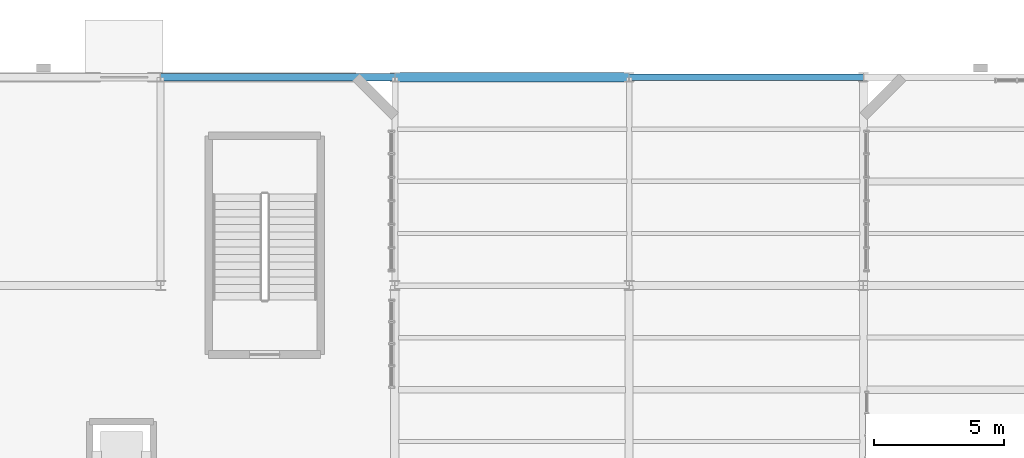
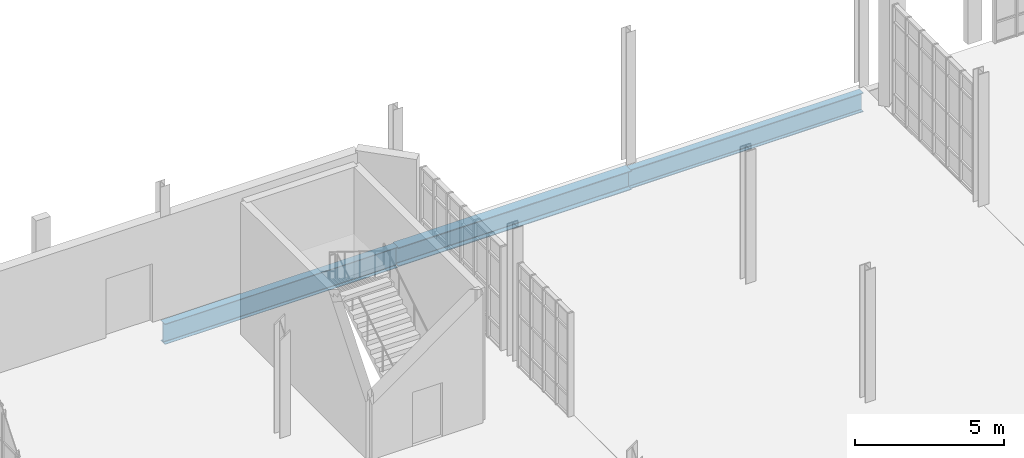
# One storey, part 98 of 189: 3 beams.
"""IFC4 building model written with IfcOpenShell, lengths in metres."""

from ifc_helpers import new_model, si_unit, direction, frame, origin, origin_2d, place, context, subcontext, project, spatial, i_section, extrude, material, material_profile, profile_set, type_object, element, save


model = new_model("IFC4")

# Units and contexts
model_context = context("Model", 3, precision=1e-05, world=origin(), true_north=direction((0.0, 1.0)))
body_context = subcontext(model_context, "Body", "Model", "MODEL_VIEW")
ifc_project = project(units=[si_unit("LENGTHUNIT", "METRE"), si_unit("AREAUNIT", "SQUARE_METRE"), si_unit("VOLUMEUNIT", "CUBIC_METRE"), si_unit("PLANEANGLEUNIT", "RADIAN"), si_unit("MASSUNIT", "GRAM", prefix="KILO"), si_unit("THERMODYNAMICTEMPERATUREUNIT", "KELVIN"), si_unit("POWERUNIT", "WATT")], contexts=[model_context])

# Site, building, storey
site_placement = place(None, origin())
site = spatial("IfcSite", under=ifc_project, at=site_placement, CompositionType="ELEMENT")
building_placement = place(site_placement, origin())
building = spatial("IfcBuilding", under=site, at=building_placement, Name="Zelmaris Science Centre", CompositionType="ELEMENT")
storey_placement = place(building_placement, origin())
storey = spatial("IfcBuildingStorey", under=building, at=storey_placement, Name="L00", CompositionType="ELEMENT", Elevation=0.0)

# Beams
ifc_material = material(Name="Steel ASTM A992 Grade 50", Category="steel")
ifc_material_profile_1 = material_profile(ifc_material, i_section(OverallWidth=0.2919921875, OverallDepth=0.8359375, WebThickness=0.013916015625, FlangeThickness=0.018798828125, FilletRadius=0.02001953125, at=origin_2d()), Name="W33X118")
ifc_profile_set_1 = profile_set([ifc_material_profile_1], Name="Steel ASTM A992 Grade 50")
beam_type_1 = type_object("IfcBeamType", Name="Beam G-30 W33X118", PredefinedType="BEAM", material=ifc_profile_set_1)
beam_1_placement = place(storey_placement, frame((63.0, 88.0, -0.697998046875), z_axis=(1.0, 0.0, 0.0), x_axis=(0.0, 1.0, 0.0)))
element("IfcBeam", 1, at=beam_1_placement, inside=storey, type_object=beam_type_1, Name="L00 East-west girder 174", PredefinedType="BEAM", context=body_context, shape_type="SweptSolid", body=[
    extrude(i_section(OverallWidth=0.2919921875, OverallDepth=0.8359375, WebThickness=0.013916015625, FlangeThickness=0.018798828125, FilletRadius=0.02001953125, at=origin_2d()), origin(), (0.0, 0.0, 1.0), 9.0),
])
ifc_material_profile_2 = material_profile(ifc_material, i_section(OverallWidth=0.381103515625, OverallDepth=0.777099609375, WebThickness=0.01806640625, FlangeThickness=0.030029296875, FilletRadius=0.01904296875, at=origin_2d()), Name="W30X191")
ifc_profile_set_2 = profile_set([ifc_material_profile_2], Name="Steel ASTM A992 Grade 50")
beam_type_2 = type_object("IfcBeamType", Name="Beam G-31 W30X191", PredefinedType="BEAM", material=ifc_profile_set_2)
beam_2_placement = place(storey_placement, frame((72.0, 88.0, -0.66845703125), z_axis=(1.0, 0.0, 0.0), x_axis=(0.0, 1.0, 0.0)))
element("IfcBeam", 2, at=beam_2_placement, inside=storey, type_object=beam_type_2, Name="L00 East-west girder 175", PredefinedType="BEAM", context=body_context, shape_type="SweptSolid", body=[
    extrude(i_section(OverallWidth=0.381103515625, OverallDepth=0.777099609375, WebThickness=0.01806640625, FlangeThickness=0.030029296875, FilletRadius=0.01904296875, at=origin_2d()), origin(), (0.0, 0.0, 1.0), 9.0),
])
ifc_material_profile_3 = material_profile(ifc_material, i_section(OverallWidth=0.26708984375, OverallDepth=0.780029296875, WebThickness=0.0166015625, FlangeThickness=0.030029296875, FilletRadius=0.01904296875, at=origin_2d()), Name="W30X148")
ifc_profile_set_3 = profile_set([ifc_material_profile_3], Name="Steel ASTM A992 Grade 50")
beam_type_3 = type_object("IfcBeamType", Name="Beam G-32 W30X148", PredefinedType="BEAM", material=ifc_profile_set_3)
beam_3_placement = place(storey_placement, frame((81.0, 88.0, -0.669921875), z_axis=(1.0, 0.0, 0.0), x_axis=(0.0, 1.0, 0.0)))
element("IfcBeam", 3, at=beam_3_placement, inside=storey, type_object=beam_type_3, Name="L00 East-west girder 176", PredefinedType="BEAM", context=body_context, shape_type="SweptSolid", body=[
    extrude(i_section(OverallWidth=0.26708984375, OverallDepth=0.780029296875, WebThickness=0.0166015625, FlangeThickness=0.030029296875, FilletRadius=0.01904296875, at=origin_2d()), origin(), (0.0, 0.0, 1.0), 9.0),
])

save(model, "model.ifc")
